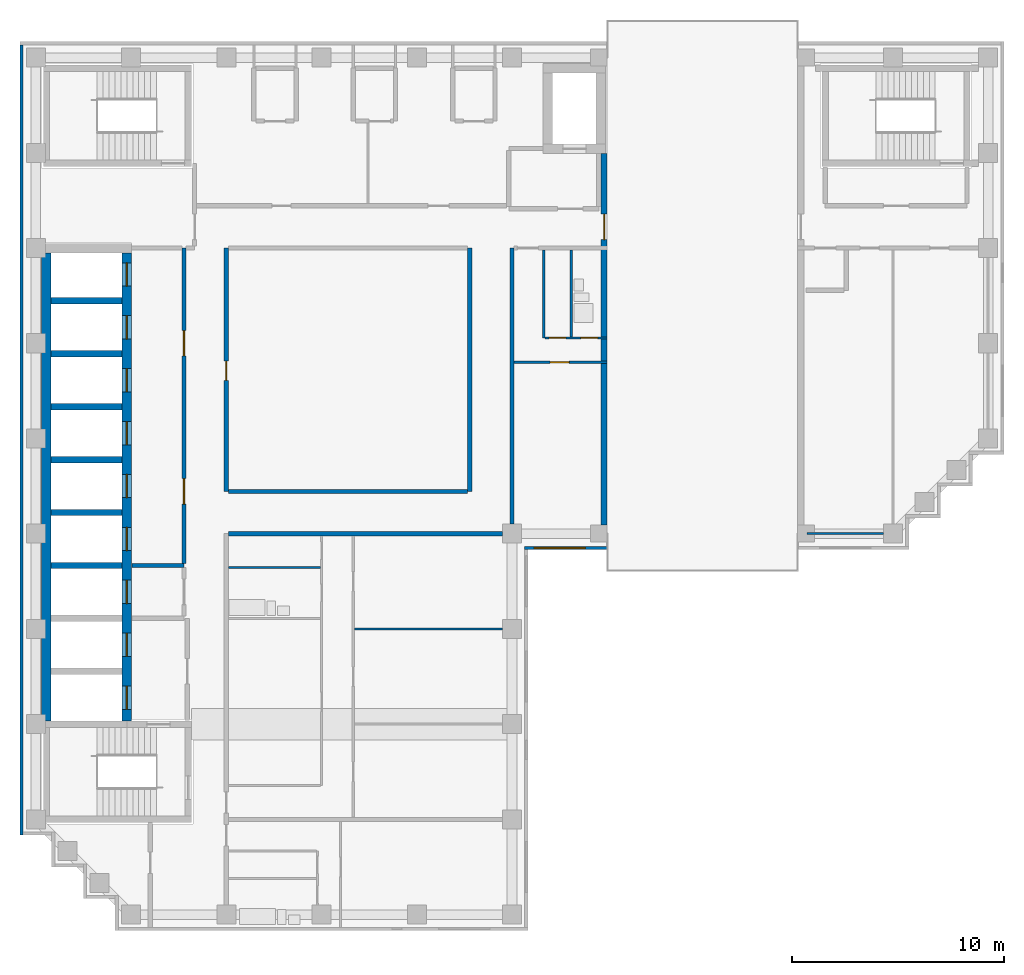
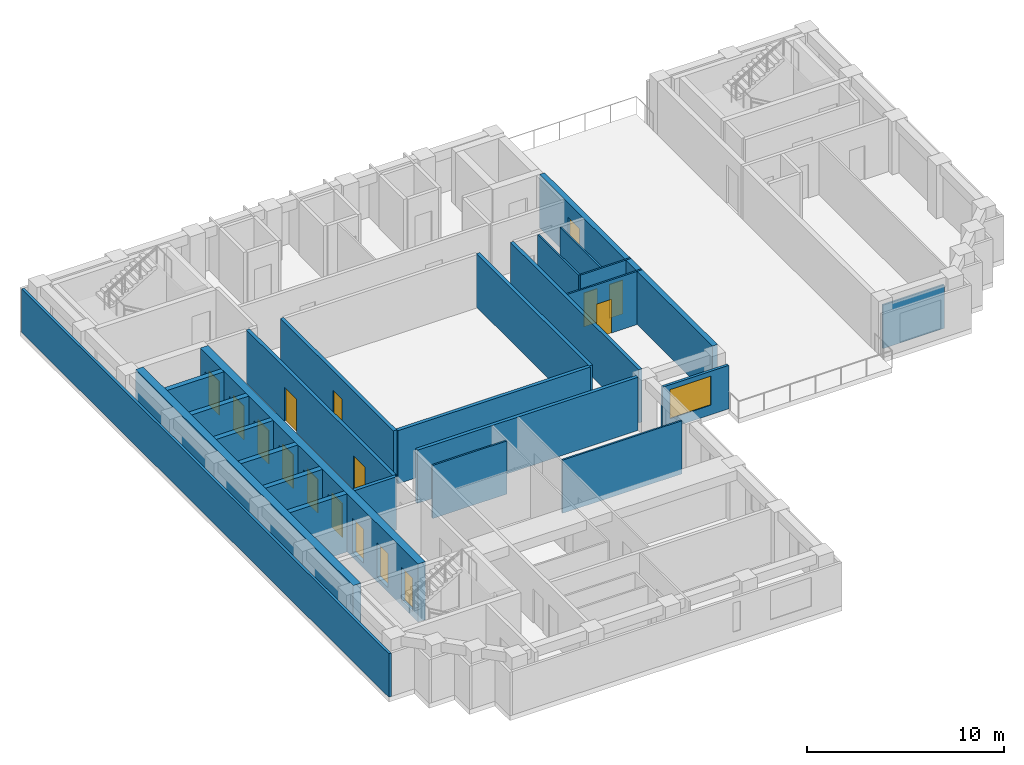
# One storey, part 3 of 7: 25 walls, 16 doors, 1 window, 17 openings.
"""IFC4 building model written with IfcOpenShell, lengths in metres."""

from ifc_helpers import new_model, si_unit, direction, frame, frame_2d, origin, place, context, subcontext, project, spatial, rectangle, extrude, material, layer, layer_set, type_object, element, fill, save


model = new_model("IFC4")

# Units and contexts
model_context = context("Model", 3, precision=1e-05, world=origin(), true_north=direction((0.0, 1.0)))
body_context = subcontext(model_context, "Body", "Model", "MODEL_VIEW")
ifc_project = project(units=[si_unit("LENGTHUNIT", "METRE"), si_unit("AREAUNIT", "SQUARE_METRE"), si_unit("VOLUMEUNIT", "CUBIC_METRE"), si_unit("PLANEANGLEUNIT", "RADIAN"), si_unit("MASSUNIT", "GRAM", prefix="KILO")], contexts=[model_context])

# Site, building, storey
site_placement = place(None, origin())
site = spatial("IfcSite", under=ifc_project, at=site_placement, CompositionType="ELEMENT")
building_placement = place(site_placement, origin())
building = spatial("IfcBuilding", under=site, at=building_placement, Name="Firuza Court", CompositionType="ELEMENT")
storey_placement = place(building_placement, frame((0.0, 0.0, 240.199951171875)))
storey = spatial("IfcBuildingStorey", under=building, at=storey_placement, Name="L62", CompositionType="ELEMENT", Elevation=240.199951171875)

# Walls
ifc_material_1 = material(Name="Moisture-resistant gypsum board partition")
ifc_layer_1 = layer(ifc_material_1, 0.10009765625)
ifc_layer_set_1 = layer_set([ifc_layer_1], Name="Moisture-resistant gypsum board partition")
wall_type_1 = type_object("IfcWallType", Name="Bathroom partition 100", PredefinedType="PLUMBINGWALL", material=ifc_layer_set_1)
wall_1_placement = place(storey_placement, frame((9.10009765625, 34.39990234375, 0.0), z_axis=(0.0, 0.0, 1.0), x_axis=(1.0, 0.0, 0.0)))
element("IfcWall", 1, at=wall_1_placement, inside=storey, type_object=wall_type_1, Name="Bathroom partition 100 L62", PredefinedType="PLUMBINGWALL", context=body_context, shape_type="SweptSolid", body=[
    extrude(rectangle(XDim=4.349853515625, YDim=0.10009765625, at=frame_2d((2.1748046875, 0.0))), origin(), (0.0, 0.0, 1.0), 3.300048828125),
])
wall_2_placement = place(storey_placement, frame((25.300048828125, 45.300048828125, 0.0), z_axis=(0.0, 0.0, 1.0), x_axis=(0.0, 1.0, 0.0)))
element("IfcWall", 2, at=wall_2_placement, inside=storey, type_object=wall_type_1, Name="Bathroom partition 100 L62", PredefinedType="PLUMBINGWALL", context=body_context, shape_type="SweptSolid", body=[
    extrude(rectangle(XDim=4.099853515625, YDim=0.10009765625, at=frame_2d((2.0498046875, 0.0))), origin(), (0.0, 0.0, 1.0), 3.300048828125),
])
ifc_material_2 = material(Name="Concrete C50/60", Category="concrete")
ifc_layer_2 = layer(ifc_material_2, 0.300048828125)
ifc_layer_set_2 = layer_set([ifc_layer_2], Name="Concrete C50/60")
wall_type_2 = type_object("IfcWallType", Name="Core wall 300 C50/60", PredefinedType="SHEAR", material=ifc_layer_set_2)
for number, where, z_axis, x_axis, name in (
    (3, (0.72509765625, 34.5, -0.300048828125), (0.0, 0.0, 1.0), (1.0, 0.0, 0.0), "Core wall lift shaft L62"),
    (4, (0.72509765625, 37.0, -0.300048828125), (0.0, 0.0, 1.0), (1.0, 0.0, 0.0), "Core wall lift shaft L62"),
    (5, (0.72509765625, 39.5, -0.300048828125), (0.0, 0.0, 1.0), (1.0, 0.0, 0.0), "Core wall lift shaft L62"),
    (6, (0.72509765625, 42.0, -0.300048828125), (0.0, 0.0, 1.0), (1.0, 0.0, 0.0), "Core wall lift shaft L62"),
    (7, (0.72509765625, 44.5, -0.300048828125), (0.0, 0.0, 1.0), (1.0, 0.0, 0.0), "Core wall lift shaft L62"),
    (8, (0.72509765625, 47.0, -0.300048828125), (0.0, 0.0, 1.0), (1.0, 0.0, 0.0), "Core wall lift shaft L62"),
):
    element("IfcWall", number, at=place(storey_placement, frame(where, z_axis=z_axis, x_axis=x_axis)), inside=storey, type_object=wall_type_2, Name=name, PredefinedType="SHEAR", context=body_context, shape_type="SweptSolid", body=[
        extrude(rectangle(XDim=3.349853515625, YDim=0.300048828125, at=frame_2d((1.6748046875, 0.0))), origin(), (0.0, 0.0, 1.0), 3.60009765625),
    ])
ifc_layer_3 = layer(ifc_material_2, 0.449951171875)
ifc_layer_set_3 = layer_set([ifc_layer_3], Name="Concrete C50/60")
wall_type_3 = type_object("IfcWallType", Name="Core wall 450 C50/60", PredefinedType="SHEAR", material=ifc_layer_set_3)
wall_3_placement = place(storey_placement, frame((0.5, 27.14990234375, -0.300048828125), z_axis=(0.0, 0.0, 1.0), x_axis=(0.0, 1.0, 0.0)))
element("IfcWall", 9, at=wall_3_placement, inside=storey, type_object=wall_type_3, Name="Core wall lift shaft L62", PredefinedType="SHEAR", context=body_context, shape_type="SweptSolid", body=[
    extrude(rectangle(XDim=22.125, YDim=0.449951171875, at=frame_2d((11.0625, 0.0))), origin(), (0.0, 0.0, 1.0), 3.60009765625),
])

# Wall, openings, doors
wall_4_placement = place(storey_placement, frame((4.300048828125, 27.14990234375, -0.300048828125), z_axis=(0.0, 0.0, 1.0), x_axis=(0.0, 1.0, 0.0)))
wall_4 = element("IfcWall", 10, at=wall_4_placement, inside=storey, type_object=wall_type_3, Name="Core wall lift shaft L62", PredefinedType="SHEAR", context=body_context, shape_type="SweptSolid", body=[
    extrude(rectangle(XDim=22.125, YDim=0.449951171875, at=frame_2d((11.0625, 0.0))), origin(), (0.0, 0.0, 1.0), 3.60009765625),
])
opening_1_placement = place(wall_4_placement, frame((3.050048828125, 0.0, 0.300048828125)))
opening_1 = element("IfcOpeningElement", 11, at=opening_1_placement, cuts=wall_4, Name="Opening LD-FL1-62", PredefinedType="OPENING", context=body_context, shape_type="SweptSolid", body=[
    extrude(rectangle(XDim=1.10009765625, YDim=2.10009765625, at=frame_2d((0.550048828125, 1.050048828125))), frame((0.0, 0.23681640625, 0.0), z_axis=(0.0, -1.0, 0.0), x_axis=(1.0, 0.0, 0.0)), (0.0, 0.0, 1.0), 0.473876953125),
])
opening_2_placement = place(wall_4_placement, frame((0.550048828125, 0.0, 0.300048828125)))
opening_2 = element("IfcOpeningElement", 12, at=opening_2_placement, cuts=wall_4, Name="Opening LD-FL2-62", PredefinedType="OPENING", context=body_context, shape_type="SweptSolid", body=[
    extrude(rectangle(XDim=1.10009765625, YDim=2.10009765625, at=frame_2d((0.550048828125, 1.050048828125))), frame((0.0, 0.23681640625, 0.0), z_axis=(0.0, -1.0, 0.0), x_axis=(1.0, 0.0, 0.0)), (0.0, 0.0, 1.0), 0.473876953125),
])
opening_3_placement = place(wall_4_placement, frame((20.550048828125, 0.0, 0.300048828125)))
opening_3 = element("IfcOpeningElement", 13, at=opening_3_placement, cuts=wall_4, Name="Opening LD-HB1-62", PredefinedType="OPENING", context=body_context, shape_type="SweptSolid", body=[
    extrude(rectangle(XDim=1.10009765625, YDim=2.10009765625, at=frame_2d((0.550048828125, 1.050048828125))), frame((0.0, 0.23681640625, 0.0), z_axis=(0.0, -1.0, 0.0), x_axis=(1.0, 0.0, 0.0)), (0.0, 0.0, 1.0), 0.473876953125),
])
opening_4_placement = place(wall_4_placement, frame((18.050048828125, 0.0, 0.300048828125)))
opening_4 = element("IfcOpeningElement", 14, at=opening_4_placement, cuts=wall_4, Name="Opening LD-HB2-62", PredefinedType="OPENING", context=body_context, shape_type="SweptSolid", body=[
    extrude(rectangle(XDim=1.10009765625, YDim=2.10009765625, at=frame_2d((0.550048828125, 1.050048828125))), frame((0.0, 0.23681640625, 0.0), z_axis=(0.0, -1.0, 0.0), x_axis=(1.0, 0.0, 0.0)), (0.0, 0.0, 1.0), 0.473876953125),
])
opening_5_placement = place(wall_4_placement, frame((15.550048828125, 0.0, 0.300048828125)))
opening_5 = element("IfcOpeningElement", 15, at=opening_5_placement, cuts=wall_4, Name="Opening LD-HB3-62", PredefinedType="OPENING", context=body_context, shape_type="SweptSolid", body=[
    extrude(rectangle(XDim=1.10009765625, YDim=2.10009765625, at=frame_2d((0.550048828125, 1.050048828125))), frame((0.0, 0.23681640625, 0.0), z_axis=(0.0, -1.0, 0.0), x_axis=(1.0, 0.0, 0.0)), (0.0, 0.0, 1.0), 0.473876953125),
])
opening_6_placement = place(wall_4_placement, frame((13.050048828125, 0.0, 0.300048828125)))
opening_6 = element("IfcOpeningElement", 16, at=opening_6_placement, cuts=wall_4, Name="Opening LD-HB4-62", PredefinedType="OPENING", context=body_context, shape_type="SweptSolid", body=[
    extrude(rectangle(XDim=1.10009765625, YDim=2.10009765625, at=frame_2d((0.550048828125, 1.050048828125))), frame((0.0, 0.23681640625, 0.0), z_axis=(0.0, -1.0, 0.0), x_axis=(1.0, 0.0, 0.0)), (0.0, 0.0, 1.0), 0.473876953125),
])
opening_7_placement = place(wall_4_placement, frame((10.550048828125, 0.0, 0.300048828125)))
opening_7 = element("IfcOpeningElement", 17, at=opening_7_placement, cuts=wall_4, Name="Opening LD-HB5-62", PredefinedType="OPENING", context=body_context, shape_type="SweptSolid", body=[
    extrude(rectangle(XDim=1.10009765625, YDim=2.10009765625, at=frame_2d((0.550048828125, 1.050048828125))), frame((0.0, 0.23681640625, 0.0), z_axis=(0.0, -1.0, 0.0), x_axis=(1.0, 0.0, 0.0)), (0.0, 0.0, 1.0), 0.473876953125),
])
opening_8_placement = place(wall_4_placement, frame((8.050048828125, 0.0, 0.300048828125)))
opening_8 = element("IfcOpeningElement", 18, at=opening_8_placement, cuts=wall_4, Name="Opening LD-HB6-62", PredefinedType="OPENING", context=body_context, shape_type="SweptSolid", body=[
    extrude(rectangle(XDim=1.10009765625, YDim=2.10009765625, at=frame_2d((0.550048828125, 1.050048828125))), frame((0.0, 0.23681640625, 0.0), z_axis=(0.0, -1.0, 0.0), x_axis=(1.0, 0.0, 0.0)), (0.0, 0.0, 1.0), 0.473876953125),
])
opening_9_placement = place(wall_4_placement, frame((5.550048828125, 0.0, 0.300048828125)))
opening_9 = element("IfcOpeningElement", 19, at=opening_9_placement, cuts=wall_4, Name="Opening LD-SL1-62", PredefinedType="OPENING", context=body_context, shape_type="SweptSolid", body=[
    extrude(rectangle(XDim=1.10009765625, YDim=2.10009765625, at=frame_2d((0.550048828125, 1.050048828125))), frame((0.0, 0.23681640625, 0.0), z_axis=(0.0, -1.0, 0.0), x_axis=(1.0, 0.0, 0.0)), (0.0, 0.0, 1.0), 0.473876953125),
])
ifc_material_3 = material(Name="Stainless steel 1.4301 door leaf", Category="steel")
door_type_1 = type_object("IfcDoorType", Name="Lift landing door 1100", OperationType="SLIDING_TO_LEFT", PredefinedType="DOOR", material=ifc_material_3)
door_1_placement = place(opening_1_placement, origin())
door_1 = element("IfcDoor", 20, at=door_1_placement, inside=storey, type_object=door_type_1, Name="Landing door FL1", OperationType="SLIDING_TO_LEFT", OverallHeight=2.10009765625, OverallWidth=1.10009765625, PredefinedType="DOOR", context=body_context, shape_type="SweptSolid", body=[
    extrude(rectangle(XDim=1.10009765625, YDim=2.10009765625, at=frame_2d((0.550048828125, 1.050048828125))), frame((0.0, 0.02490234375, 0.0), z_axis=(0.0, -1.0, 0.0), x_axis=(1.0, 0.0, 0.0)), (0.0, 0.0, 1.0), 0.050048828125),
])
fill(opening_1, door_1)
door_2_placement = place(opening_2_placement, origin())
door_2 = element("IfcDoor", 21, at=door_2_placement, inside=storey, type_object=door_type_1, Name="Landing door FL2", OperationType="SLIDING_TO_LEFT", OverallHeight=2.10009765625, OverallWidth=1.10009765625, PredefinedType="DOOR", context=body_context, shape_type="SweptSolid", body=[
    extrude(rectangle(XDim=1.10009765625, YDim=2.10009765625, at=frame_2d((0.550048828125, 1.050048828125))), frame((0.0, 0.02490234375, 0.0), z_axis=(0.0, -1.0, 0.0), x_axis=(1.0, 0.0, 0.0)), (0.0, 0.0, 1.0), 0.050048828125),
])
fill(opening_2, door_2)
door_3_placement = place(opening_3_placement, origin())
door_3 = element("IfcDoor", 22, at=door_3_placement, inside=storey, type_object=door_type_1, Name="Landing door HB1", OperationType="SLIDING_TO_LEFT", OverallHeight=2.10009765625, OverallWidth=1.10009765625, PredefinedType="DOOR", context=body_context, shape_type="SweptSolid", body=[
    extrude(rectangle(XDim=1.10009765625, YDim=2.10009765625, at=frame_2d((0.550048828125, 1.050048828125))), frame((0.0, 0.02490234375, 0.0), z_axis=(0.0, -1.0, 0.0), x_axis=(1.0, 0.0, 0.0)), (0.0, 0.0, 1.0), 0.050048828125),
])
fill(opening_3, door_3)
door_4_placement = place(opening_4_placement, origin())
door_4 = element("IfcDoor", 23, at=door_4_placement, inside=storey, type_object=door_type_1, Name="Landing door HB2", OperationType="SLIDING_TO_LEFT", OverallHeight=2.10009765625, OverallWidth=1.10009765625, PredefinedType="DOOR", context=body_context, shape_type="SweptSolid", body=[
    extrude(rectangle(XDim=1.10009765625, YDim=2.10009765625, at=frame_2d((0.550048828125, 1.050048828125))), frame((0.0, 0.02490234375, 0.0), z_axis=(0.0, -1.0, 0.0), x_axis=(1.0, 0.0, 0.0)), (0.0, 0.0, 1.0), 0.050048828125),
])
fill(opening_4, door_4)
door_5_placement = place(opening_5_placement, origin())
door_5 = element("IfcDoor", 24, at=door_5_placement, inside=storey, type_object=door_type_1, Name="Landing door HB3", OperationType="SLIDING_TO_LEFT", OverallHeight=2.10009765625, OverallWidth=1.10009765625, PredefinedType="DOOR", context=body_context, shape_type="SweptSolid", body=[
    extrude(rectangle(XDim=1.10009765625, YDim=2.10009765625, at=frame_2d((0.550048828125, 1.050048828125))), frame((0.0, 0.02490234375, 0.0), z_axis=(0.0, -1.0, 0.0), x_axis=(1.0, 0.0, 0.0)), (0.0, 0.0, 1.0), 0.050048828125),
])
fill(opening_5, door_5)
door_6_placement = place(opening_6_placement, origin())
door_6 = element("IfcDoor", 25, at=door_6_placement, inside=storey, type_object=door_type_1, Name="Landing door HB4", OperationType="SLIDING_TO_LEFT", OverallHeight=2.10009765625, OverallWidth=1.10009765625, PredefinedType="DOOR", context=body_context, shape_type="SweptSolid", body=[
    extrude(rectangle(XDim=1.10009765625, YDim=2.10009765625, at=frame_2d((0.550048828125, 1.050048828125))), frame((0.0, 0.02490234375, 0.0), z_axis=(0.0, -1.0, 0.0), x_axis=(1.0, 0.0, 0.0)), (0.0, 0.0, 1.0), 0.050048828125),
])
fill(opening_6, door_6)
door_7_placement = place(opening_7_placement, origin())
door_7 = element("IfcDoor", 26, at=door_7_placement, inside=storey, type_object=door_type_1, Name="Landing door HB5", OperationType="SLIDING_TO_LEFT", OverallHeight=2.10009765625, OverallWidth=1.10009765625, PredefinedType="DOOR", context=body_context, shape_type="SweptSolid", body=[
    extrude(rectangle(XDim=1.10009765625, YDim=2.10009765625, at=frame_2d((0.550048828125, 1.050048828125))), frame((0.0, 0.02490234375, 0.0), z_axis=(0.0, -1.0, 0.0), x_axis=(1.0, 0.0, 0.0)), (0.0, 0.0, 1.0), 0.050048828125),
])
fill(opening_7, door_7)
door_8_placement = place(opening_8_placement, origin())
door_8 = element("IfcDoor", 27, at=door_8_placement, inside=storey, type_object=door_type_1, Name="Landing door HB6", OperationType="SLIDING_TO_LEFT", OverallHeight=2.10009765625, OverallWidth=1.10009765625, PredefinedType="DOOR", context=body_context, shape_type="SweptSolid", body=[
    extrude(rectangle(XDim=1.10009765625, YDim=2.10009765625, at=frame_2d((0.550048828125, 1.050048828125))), frame((0.0, 0.02490234375, 0.0), z_axis=(0.0, -1.0, 0.0), x_axis=(1.0, 0.0, 0.0)), (0.0, 0.0, 1.0), 0.050048828125),
])
fill(opening_8, door_8)
door_9_placement = place(opening_9_placement, origin())
door_9 = element("IfcDoor", 28, at=door_9_placement, inside=storey, type_object=door_type_1, Name="Landing door SL1", OperationType="SLIDING_TO_LEFT", OverallHeight=2.10009765625, OverallWidth=1.10009765625, PredefinedType="DOOR", context=body_context, shape_type="SweptSolid", body=[
    extrude(rectangle(XDim=1.10009765625, YDim=2.10009765625, at=frame_2d((0.550048828125, 1.050048828125))), frame((0.0, 0.02490234375, 0.0), z_axis=(0.0, -1.0, 0.0), x_axis=(1.0, 0.0, 0.0)), (0.0, 0.0, 1.0), 0.050048828125),
])
fill(opening_9, door_9)

# Wall, opening, door
ifc_material_4 = material(Name="Blockwork, plastered both sides", Category="masonry")
ifc_layer_4 = layer(ifc_material_4, 0.199951171875)
ifc_layer_set_4 = layer_set([ifc_layer_4], Name="Blockwork, plastered both sides")
wall_type_4 = type_object("IfcWallType", Name="Corridor wall 200", PredefinedType="PARTITIONING", material=ifc_layer_set_4)
wall_5_placement = place(storey_placement, frame((9.0, 38.0, 0.0), z_axis=(0.0, 0.0, 1.0), x_axis=(0.0, 1.0, 0.0)))
wall_5 = element("IfcWall", 29, at=wall_5_placement, inside=storey, type_object=wall_type_4, Name="Corridor wall 200 L62", PredefinedType="PARTITIONING", context=body_context, shape_type="SweptSolid", body=[
    extrude(rectangle(XDim=11.5, YDim=0.199951171875, at=frame_2d((5.75, 0.0))), origin(), (0.0, 0.0, 1.0), 3.300048828125),
])
opening_10_placement = place(wall_5_placement, frame((5.25, 0.0, 0.0)))
opening_10 = element("IfcOpeningElement", 30, at=opening_10_placement, cuts=wall_5, Name="Opening D62024", PredefinedType="OPENING", context=body_context, shape_type="SweptSolid", body=[
    extrude(rectangle(XDim=0.89990234375, YDim=2.10009765625, at=frame_2d((0.449951171875, 1.050048828125))), frame((0.0, 0.11181640625, 0.0), z_axis=(0.0, -1.0, 0.0), x_axis=(1.0, 0.0, 0.0)), (0.0, 0.0, 1.0), 0.223876953125),
])
ifc_material_5 = material(Name="Timber door leaf in hardwood frame", Category="wood")
door_type_2 = type_object("IfcDoorType", Name="Room door 900 EI 30", OperationType="SINGLE_SWING_LEFT", PredefinedType="DOOR", material=ifc_material_5)
door_10_placement = place(opening_10_placement, origin())
door_10 = element("IfcDoor", 31, at=door_10_placement, inside=storey, type_object=door_type_2, Name="Residents' club lounge door", OperationType="SINGLE_SWING_LEFT", OverallHeight=2.10009765625, OverallWidth=0.89990234375, PredefinedType="DOOR", context=body_context, shape_type="SweptSolid", body=[
    extrude(rectangle(XDim=0.89990234375, YDim=2.10009765625, at=frame_2d((0.449951171875, 1.050048828125))), frame((0.0, 0.02490234375, 0.0), z_axis=(0.0, -1.0, 0.0), x_axis=(1.0, 0.0, 0.0)), (0.0, 0.0, 1.0), 0.050048828125),
])
fill(opening_10, door_10)

# Walls
wall_6_placement = place(storey_placement, frame((9.10009765625, 38.0, 0.0), z_axis=(0.0, 0.0, 1.0), x_axis=(1.0, 0.0, 0.0)))
element("IfcWall", 32, at=wall_6_placement, inside=storey, type_object=wall_type_4, Name="Corridor wall 200 L62", PredefinedType="PARTITIONING", context=body_context, shape_type="SweptSolid", body=[
    extrude(rectangle(XDim=11.2998046875, YDim=0.199951171875, at=frame_2d((5.64990234375, 0.0))), origin(), (0.0, 0.0, 1.0), 3.300048828125),
])
wall_7_placement = place(storey_placement, frame((20.5, 38.0, 0.0), z_axis=(0.0, 0.0, 1.0), x_axis=(0.0, 1.0, 0.0)))
element("IfcWall", 33, at=wall_7_placement, inside=storey, type_object=wall_type_4, Name="Corridor wall 200 L62", PredefinedType="PARTITIONING", context=body_context, shape_type="SweptSolid", body=[
    extrude(rectangle(XDim=11.5, YDim=0.199951171875, at=frame_2d((5.75, 0.0))), origin(), (0.0, 0.0, 1.0), 3.300048828125),
])
ifc_material_6 = material(Name="Timber stud partition, plasterboard both sides", Category="wood")
ifc_layer_5 = layer(ifc_material_6, 0.10009765625)
ifc_layer_set_5 = layer_set([ifc_layer_5], Name="Timber stud partition, plasterboard both sides")
wall_type_5 = type_object("IfcWallType", Name="Partition wall 100", PredefinedType="PARTITIONING", material=ifc_layer_set_5)
wall_8_placement = place(storey_placement, frame((15.050048828125, 31.5, 0.0), z_axis=(0.0, 0.0, 1.0), x_axis=(1.0, 0.0, 0.0)))
element("IfcWall", 34, at=wall_8_placement, inside=storey, type_object=wall_type_5, Name="Partition wall 100 L62", PredefinedType="PARTITIONING", context=body_context, shape_type="SweptSolid", body=[
    extrude(rectangle(XDim=7.0, YDim=0.10009765625, at=frame_2d((3.5, 0.0))), origin(), (0.0, 0.0, 1.0), 3.300048828125),
])
wall_9_placement = place(storey_placement, frame((36.449951171875, 36.0, 0.0), z_axis=(0.0, 0.0, 1.0), x_axis=(1.0, 0.0, 0.0)))
element("IfcWall", 35, at=wall_9_placement, inside=storey, type_object=wall_type_5, Name="Partition wall 100 L62", PredefinedType="PARTITIONING", context=body_context, shape_type="SweptSolid", body=[
    extrude(rectangle(XDim=3.60009765625, YDim=0.10009765625, at=frame_2d((1.800048828125, 0.0))), origin(), (0.0, 0.0, 1.0), 2.699951171875),
])

# Wall, opening, door
wall_10_placement = place(storey_placement, frame((22.60009765625, 44.10009765625, 0.0), z_axis=(0.0, 0.0, 1.0), x_axis=(1.0, 0.0, 0.0)))
wall_10 = element("IfcWall", 36, at=wall_10_placement, inside=storey, type_object=wall_type_5, Name="Partition wall 100 L62", PredefinedType="PARTITIONING", context=body_context, shape_type="SweptSolid", body=[
    extrude(rectangle(XDim=4.39990234375, YDim=0.10009765625, at=frame_2d((2.199951171875, 0.0))), origin(), (0.0, 0.0, 1.0), 3.300048828125),
])
opening_11_placement = place(wall_10_placement, frame((1.699951171875, 0.0, 0.0)))
opening_11 = element("IfcOpeningElement", 37, at=opening_11_placement, cuts=wall_10, Name="Opening D62025", PredefinedType="OPENING", context=body_context, shape_type="SweptSolid", body=[
    extrude(rectangle(XDim=0.89990234375, YDim=2.10009765625, at=frame_2d((0.449951171875, 1.050048828125))), frame((0.0, 0.06201171875, 0.0), z_axis=(0.0, -1.0, 0.0), x_axis=(1.0, 0.0, 0.0)), (0.0, 0.0, 1.0), 0.1240234375),
])
ifc_material_7 = material(Name="Timber door leaf in hardwood frame", Category="wood")
door_type_3 = type_object("IfcDoorType", Name="Room door 900", OperationType="SINGLE_SWING_LEFT", PredefinedType="DOOR", material=ifc_material_7)
door_11_placement = place(opening_11_placement, frame((0.89990234375, 0.0, 0.0), z_axis=(0.0, 0.0, 1.0), x_axis=(-1.0, 0.0, 0.0)))
door_11 = element("IfcDoor", 38, at=door_11_placement, inside=storey, type_object=door_type_3, Name="Studio room door", OperationType="SINGLE_SWING_LEFT", OverallHeight=2.10009765625, OverallWidth=0.89990234375, PredefinedType="DOOR", context=body_context, shape_type="SweptSolid", body=[
    extrude(rectangle(XDim=0.89990234375, YDim=2.10009765625, at=frame_2d((0.449951171875, 1.050048828125))), frame((0.0, 0.02490234375, 0.0), z_axis=(0.0, -1.0, 0.0), x_axis=(1.0, 0.0, 0.0)), (0.0, 0.0, 1.0), 0.050048828125),
])
fill(opening_11, door_11)

# Wall
wall_11_placement = place(storey_placement, frame((24.0, 45.25, 0.0), z_axis=(0.0, 0.0, 1.0), x_axis=(0.0, 1.0, 0.0)))
element("IfcWall", 39, at=wall_11_placement, inside=storey, type_object=wall_type_5, Name="Partition wall 100 L62", PredefinedType="PARTITIONING", context=body_context, shape_type="SweptSolid", body=[
    extrude(rectangle(XDim=4.14990234375, YDim=0.10009765625, at=frame_2d((2.074951171875, 0.0))), origin(), (0.0, 0.0, 1.0), 3.300048828125),
])

# Wall, openings, doors
wall_12_placement = place(storey_placement, frame((24.050048828125, 45.25, 0.0), z_axis=(0.0, 0.0, 1.0), x_axis=(1.0, 0.0, 0.0)))
wall_12 = element("IfcWall", 40, at=wall_12_placement, inside=storey, type_object=wall_type_5, Name="Partition wall 100 L62", PredefinedType="PARTITIONING", context=body_context, shape_type="SweptSolid", body=[
    extrude(rectangle(XDim=2.949951171875, YDim=0.10009765625, at=frame_2d((1.47509765625, 0.0))), origin(), (0.0, 0.0, 1.0), 3.300048828125),
])
opening_12_placement = place(wall_12_placement, frame((1.699951171875, 0.0, 0.0)))
opening_12 = element("IfcOpeningElement", 41, at=opening_12_placement, cuts=wall_12, Name="Opening D62026", PredefinedType="OPENING", context=body_context, shape_type="SweptSolid", body=[
    extrude(rectangle(XDim=0.800048828125, YDim=2.10009765625, at=frame_2d((0.39990234375, 1.050048828125))), frame((0.0, 0.06201171875, 0.0), z_axis=(0.0, -1.0, 0.0), x_axis=(1.0, 0.0, 0.0)), (0.0, 0.0, 1.0), 0.1240234375),
])
opening_13_placement = place(wall_12_placement, frame((0.199951171875, 0.0, 0.0)))
opening_13 = element("IfcOpeningElement", 42, at=opening_13_placement, cuts=wall_12, Name="Opening D62027", PredefinedType="OPENING", context=body_context, shape_type="SweptSolid", body=[
    extrude(rectangle(XDim=0.800048828125, YDim=2.10009765625, at=frame_2d((0.39990234375, 1.050048828125))), frame((0.0, 0.06201171875, 0.0), z_axis=(0.0, -1.0, 0.0), x_axis=(1.0, 0.0, 0.0)), (0.0, 0.0, 1.0), 0.1240234375),
])
ifc_material_8 = material(Name="Timber door leaf in hardwood frame", Category="wood")
door_type_4 = type_object("IfcDoorType", Name="Bathroom door 800", OperationType="SINGLE_SWING_LEFT", PredefinedType="DOOR", material=ifc_material_8)
door_12_placement = place(opening_12_placement, origin())
door_12 = element("IfcDoor", 43, at=door_12_placement, inside=storey, type_object=door_type_4, Name="Bathroom door", OperationType="SINGLE_SWING_RIGHT", OverallHeight=2.10009765625, OverallWidth=0.800048828125, PredefinedType="DOOR", context=body_context, shape_type="SweptSolid", body=[
    extrude(rectangle(XDim=0.800048828125, YDim=2.10009765625, at=frame_2d((0.39990234375, 1.050048828125))), frame((0.0, 0.02490234375, 0.0), z_axis=(0.0, -1.0, 0.0), x_axis=(1.0, 0.0, 0.0)), (0.0, 0.0, 1.0), 0.050048828125),
])
fill(opening_12, door_12)
ifc_material_9 = material(Name="Timber door leaf in hardwood frame", Category="wood")
door_type_5 = type_object("IfcDoorType", Name="Room door 800", OperationType="SINGLE_SWING_LEFT", PredefinedType="DOOR", material=ifc_material_9)
door_13_placement = place(opening_13_placement, origin())
door_13 = element("IfcDoor", 44, at=door_13_placement, inside=storey, type_object=door_type_5, Name="Kitchen door", OperationType="SINGLE_SWING_LEFT", OverallHeight=2.10009765625, OverallWidth=0.800048828125, PredefinedType="DOOR", context=body_context, shape_type="SweptSolid", body=[
    extrude(rectangle(XDim=0.800048828125, YDim=2.10009765625, at=frame_2d((0.39990234375, 1.050048828125))), frame((0.0, 0.02490234375, 0.0), z_axis=(0.0, -1.0, 0.0), x_axis=(1.0, 0.0, 0.0)), (0.0, 0.0, 1.0), 0.050048828125),
])
fill(opening_13, door_13)

# Walls
ifc_layer_6 = layer(ifc_material_4, 0.199951171875)
ifc_layer_set_6 = layer_set([ifc_layer_6], Name="Blockwork, plastered both sides")
wall_type_6 = type_object("IfcWallType", Name="Party wall 200", PredefinedType="PARTITIONING", material=ifc_layer_set_6)
wall_13_placement = place(storey_placement, frame((9.10009765625, 36.0, 0.0), z_axis=(0.0, 0.0, 1.0), x_axis=(1.0, 0.0, 0.0)))
element("IfcWall", 45, at=wall_13_placement, inside=storey, type_object=wall_type_6, Name="Party wall 200 L62", PredefinedType="PARTITIONING", context=body_context, shape_type="SweptSolid", body=[
    extrude(rectangle(XDim=12.949951171875, YDim=0.199951171875, at=frame_2d((6.47509765625, 0.0))), origin(), (0.0, 0.0, 1.0), 3.300048828125),
])
wall_14_placement = place(storey_placement, frame((22.5, 36.449951171875, 0.0), z_axis=(0.0, 0.0, 1.0), x_axis=(0.0, 1.0, 0.0)))
element("IfcWall", 46, at=wall_14_placement, inside=storey, type_object=wall_type_6, Name="Party wall 200 L62", PredefinedType="PARTITIONING", context=body_context, shape_type="SweptSolid", body=[
    extrude(rectangle(XDim=13.050048828125, YDim=0.199951171875, at=frame_2d((6.52490234375, 0.0))), origin(), (0.0, 0.0, 1.0), 3.300048828125),
])

# Wall, opening, door
ifc_material_10 = material(Name="Ceramic tile", Category="ceramic")
ifc_layer_7 = layer(ifc_material_10, 0.02001953125)
ifc_material_11 = material(Name="Mineral wool insulation", Category="insulation")
ifc_layer_8 = layer(ifc_material_11, 0.1298828125)
ifc_material_12 = material(Name="Concrete C40/50 precast", Category="concrete")
ifc_layer_9 = layer(ifc_material_12, 0.14990234375)
ifc_layer_set_7 = layer_set([ifc_layer_7, ifc_layer_8, ifc_layer_9], Name="Concrete C40/50 precast")
wall_type_7 = type_object("IfcWallType", Name="Portal reveal wall 300", PredefinedType="STANDARD", material=ifc_layer_set_7)
wall_15_placement = place(storey_placement, frame((26.85009765625, 36.39990234375, 0.0), z_axis=(0.0, 0.0, 1.0), x_axis=(0.0, 1.0, 0.0)))
wall_15 = element("IfcWall", 47, at=wall_15_placement, inside=storey, type_object=wall_type_7, Name="Portal reveal wall L62 W", PredefinedType="STANDARD", context=body_context, shape_type="SweptSolid", body=[
    extrude(rectangle(XDim=17.5751953125, YDim=0.300048828125, at=frame_2d((8.78759765625, 0.0))), origin(), (0.0, 0.0, 1.0), 3.300048828125),
])
opening_14_placement = place(wall_15_placement, frame((13.5, 0.0, 0.0)))
opening_14 = element("IfcOpeningElement", 48, at=opening_14_placement, cuts=wall_15, Name="Opening D62901", PredefinedType="OPENING", context=body_context, shape_type="SweptSolid", body=[
    extrude(rectangle(XDim=1.199951171875, YDim=2.39990234375, at=frame_2d((0.60009765625, 1.199951171875))), frame((0.0, 0.162109375, 0.0), z_axis=(0.0, -1.0, 0.0), x_axis=(1.0, 0.0, 0.0)), (0.0, 0.0, 1.0), 0.323974609375),
])
ifc_material_13 = material(Name="Timber door leaf in hardwood frame", Category="wood")
door_type_6 = type_object("IfcDoorType", Name="Terrace door 1200", OperationType="DOUBLE_DOOR_SINGLE_SWING", PredefinedType="DOOR", material=ifc_material_13)
door_14_placement = place(opening_14_placement, origin())
door_14 = element("IfcDoor", 49, at=door_14_placement, inside=storey, type_object=door_type_6, Name="Portal ledge door L62", OperationType="DOUBLE_DOOR_SINGLE_SWING", OverallHeight=2.39990234375, OverallWidth=1.199951171875, PredefinedType="DOOR", context=body_context, shape_type="SweptSolid", body=[
    extrude(rectangle(XDim=1.199951171875, YDim=2.39990234375, at=frame_2d((0.60009765625, 1.199951171875))), frame((0.0, 0.02490234375, 0.0), z_axis=(0.0, -1.0, 0.0), x_axis=(1.0, 0.0, 0.0)), (0.0, 0.0, 1.0), 0.050048828125),
])
fill(opening_14, door_14)

# Wall, opening, window
ifc_layer_10 = layer(ifc_material_10, 0.02001953125)
ifc_layer_11 = layer(ifc_material_11, 0.050048828125)
ifc_layer_12 = layer(ifc_material_12, 0.080078125)
ifc_layer_set_8 = layer_set([ifc_layer_10, ifc_layer_11, ifc_layer_12], Name="Concrete C40/50 precast")
wall_type_8 = type_object("IfcWallType", Name="Precast cladding wall with turquoise TILE PANEL face 150", PredefinedType="STANDARD", material=ifc_layer_set_8)
wall_16_placement = place(storey_placement, frame((23.10009765625, 35.324951171875, 0.0), z_axis=(0.0, 0.0, 1.0), x_axis=(1.0, 0.0, 0.0)))
wall_16 = element("IfcWall", 50, at=wall_16_placement, inside=storey, type_object=wall_type_8, Name="Facade wall L62 S", PredefinedType="STANDARD", context=body_context, shape_type="SweptSolid", body=[
    extrude(rectangle(XDim=3.89990234375, YDim=0.14990234375, at=frame_2d((1.949951171875, 0.0))), origin(), (0.0, 0.0, 1.0), 2.699951171875),
])
opening_15_placement = place(wall_16_placement, frame((0.449951171875, 0.0, 0.60009765625)))
opening_15 = element("IfcOpeningElement", 51, at=opening_15_placement, cuts=wall_16, Name="Opening W1", PredefinedType="OPENING", context=body_context, shape_type="SweptSolid", body=[
    extrude(rectangle(XDim=2.39990234375, YDim=1.800048828125, at=frame_2d((1.199951171875, 0.89990234375))), frame((0.0, 0.0869140625, 0.0), z_axis=(0.0, -1.0, 0.0), x_axis=(1.0, 0.0, 0.0)), (0.0, 0.0, 1.0), 0.173828125),
])
ifc_material_14 = material(Name="Aluminium frame, triple clear glazing", Category="aluminium")
window_type = type_object("IfcWindowType", Name="Window W1 2400 x 1800", PartitioningType="SINGLE_PANEL", PredefinedType="WINDOW", material=ifc_material_14)
window_placement = place(opening_15_placement, origin())
window = element("IfcWindow", 52, at=window_placement, inside=storey, type_object=window_type, Name="Window L62", OverallHeight=1.800048828125, OverallWidth=2.39990234375, PartitioningType="SINGLE_PANEL", PredefinedType="WINDOW", context=body_context, shape_type="SweptSolid", body=[
    extrude(rectangle(XDim=2.39990234375, YDim=1.800048828125, at=frame_2d((1.199951171875, 0.89990234375))), frame((0.0, 0.030029296875, 0.0), z_axis=(0.0, -1.0, 0.0), x_axis=(1.0, 0.0, 0.0)), (0.0, 0.0, 1.0), 0.06005859375),
])
fill(opening_15, window)

# Walls
wall_17_placement = place(storey_placement, frame((-0.675048828125, 59.10009765625, 0.0), z_axis=(0.0, 0.0, 1.0), x_axis=(0.0, -1.0, 0.0)))
element("IfcWall", 53, at=wall_17_placement, inside=storey, type_object=wall_type_8, Name="Facade wall L62 W", PredefinedType="STANDARD", context=body_context, shape_type="SweptSolid", body=[
    extrude(rectangle(XDim=37.35009765625, YDim=0.14990234375, at=frame_2d((18.675048828125, 0.0))), origin(), (0.0, 0.0, 1.0), 2.699951171875),
])
ifc_material_15 = material(Name="Blockwork, fire-rated", Category="masonry")
ifc_layer_13 = layer(ifc_material_15, 0.199951171875)
ifc_layer_set_9 = layer_set([ifc_layer_13], Name="Blockwork, fire-rated")
wall_type_9 = type_object("IfcWallType", Name="Shaft wall 200", PredefinedType="PARTITIONING", material=ifc_layer_set_9)
wall_18_placement = place(storey_placement, frame((4.544921875, 34.5, 0.0), z_axis=(0.0, 0.0, 1.0), x_axis=(1.0, 0.0, 0.0)))
element("IfcWall", 54, at=wall_18_placement, inside=storey, type_object=wall_type_9, Name="Shaft wall 200 L62", PredefinedType="PARTITIONING", context=body_context, shape_type="SweptSolid", body=[
    extrude(rectangle(XDim=2.455078125, YDim=0.199951171875, at=frame_2d((1.2275390625, 0.0))), origin(), (0.0, 0.0, 1.0), 3.300048828125),
])

# Wall, openings, doors
wall_19_placement = place(storey_placement, frame((7.0, 34.60009765625, 0.0), z_axis=(0.0, 0.0, 1.0), x_axis=(0.0, 1.0, 0.0)))
wall_19 = element("IfcWall", 55, at=wall_19_placement, inside=storey, type_object=wall_type_9, Name="Shaft wall 200 L62", PredefinedType="PARTITIONING", context=body_context, shape_type="SweptSolid", body=[
    extrude(rectangle(XDim=14.89990234375, YDim=0.199951171875, at=frame_2d((7.449951171875, 0.0))), origin(), (0.0, 0.0, 1.0), 3.300048828125),
])
opening_16_placement = place(wall_19_placement, frame((2.800048828125, 0.0, 0.0)))
opening_16 = element("IfcOpeningElement", 56, at=opening_16_placement, cuts=wall_19, Name="Opening D62004", PredefinedType="OPENING", context=body_context, shape_type="SweptSolid", body=[
    extrude(rectangle(XDim=1.199951171875, YDim=2.10009765625, at=frame_2d((0.60009765625, 1.050048828125))), frame((0.0, 0.11181640625, 0.0), z_axis=(0.0, -1.0, 0.0), x_axis=(1.0, 0.0, 0.0)), (0.0, 0.0, 1.0), 0.223876953125),
])
opening_17_placement = place(wall_19_placement, frame((9.800048828125, 0.0, 0.0)))
opening_17 = element("IfcOpeningElement", 57, at=opening_17_placement, cuts=wall_19, Name="Opening D62005", PredefinedType="OPENING", context=body_context, shape_type="SweptSolid", body=[
    extrude(rectangle(XDim=1.199951171875, YDim=2.10009765625, at=frame_2d((0.60009765625, 1.050048828125))), frame((0.0, 0.11181640625, 0.0), z_axis=(0.0, -1.0, 0.0), x_axis=(1.0, 0.0, 0.0)), (0.0, 0.0, 1.0), 0.223876953125),
])
ifc_material_16 = material(Name="Timber door leaf in hardwood frame", Category="wood")
door_type_7 = type_object("IfcDoorType", Name="Lobby door 1200", OperationType="SINGLE_SWING_LEFT", PredefinedType="DOOR", material=ifc_material_16)
door_15_placement = place(opening_16_placement, origin())
door_15 = element("IfcDoor", 58, at=door_15_placement, inside=storey, type_object=door_type_7, Name="Lobby door", OperationType="SINGLE_SWING_LEFT", OverallHeight=2.10009765625, OverallWidth=1.199951171875, PredefinedType="DOOR", context=body_context, shape_type="SweptSolid", body=[
    extrude(rectangle(XDim=1.199951171875, YDim=2.10009765625, at=frame_2d((0.60009765625, 1.050048828125))), frame((0.0, 0.02490234375, 0.0), z_axis=(0.0, -1.0, 0.0), x_axis=(1.0, 0.0, 0.0)), (0.0, 0.0, 1.0), 0.050048828125),
])
fill(opening_16, door_15)
door_16_placement = place(opening_17_placement, origin())
door_16 = element("IfcDoor", 59, at=door_16_placement, inside=storey, type_object=door_type_7, Name="Lobby door", OperationType="SINGLE_SWING_RIGHT", OverallHeight=2.10009765625, OverallWidth=1.199951171875, PredefinedType="DOOR", context=body_context, shape_type="SweptSolid", body=[
    extrude(rectangle(XDim=1.199951171875, YDim=2.10009765625, at=frame_2d((0.60009765625, 1.050048828125))), frame((0.0, 0.02490234375, 0.0), z_axis=(0.0, -1.0, 0.0), x_axis=(1.0, 0.0, 0.0)), (0.0, 0.0, 1.0), 0.050048828125),
])
fill(opening_17, door_16)

save(model, "model.ifc")
